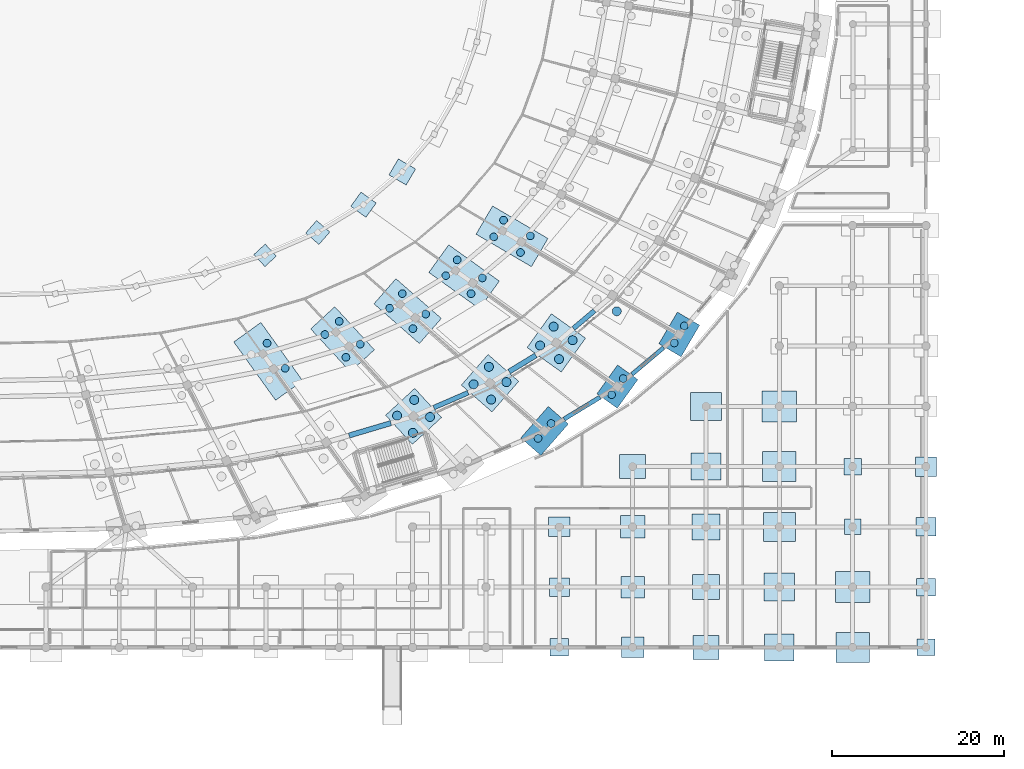
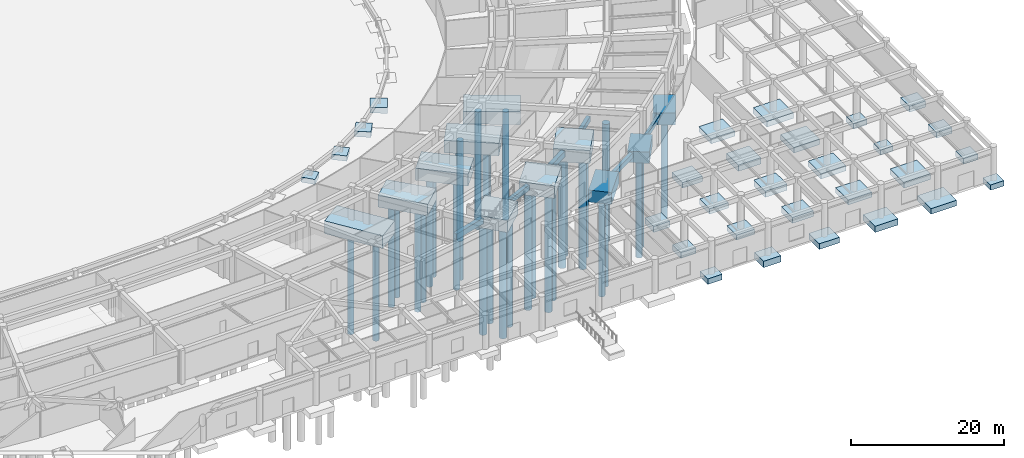
# One storey, part 6 of 88: 46 footings, 37 piles.
"""IFC4 building model written with IfcOpenShell, lengths in metres."""

from ifc_helpers import new_model, si_unit, direction, frame, origin, origin_2d, place, context, subcontext, project, spatial, rectangle, circle, extrude, material, material_profile, profile_set, type_object, element, save


model = new_model("IFC4")

# Units and contexts
model_context = context("Model", 3, precision=1e-05, world=origin(), true_north=direction((0.0, 1.0)))
body_context = subcontext(model_context, "Body", "Model", "MODEL_VIEW")
ifc_project = project(units=[si_unit("LENGTHUNIT", "METRE"), si_unit("AREAUNIT", "SQUARE_METRE"), si_unit("VOLUMEUNIT", "CUBIC_METRE"), si_unit("PLANEANGLEUNIT", "RADIAN"), si_unit("MASSUNIT", "GRAM", prefix="KILO")], contexts=[model_context])

# Site, building, storey
site_placement = place(None, origin())
site = spatial("IfcSite", under=ifc_project, at=site_placement, CompositionType="ELEMENT")
building_placement = place(site_placement, origin())
building = spatial("IfcBuilding", under=site, at=building_placement, Name="Mphavela Belvedere Stadium", CompositionType="ELEMENT")
storey_placement = place(building_placement, origin())
storey = spatial("IfcBuildingStorey", under=building, at=storey_placement, Name="L00", CompositionType="ELEMENT", Elevation=0.0)

# Footings
ifc_material_1 = material(Name="Concrete C35/45", Category="concrete")
ifc_material_profile_1 = material_profile(ifc_material_1, rectangle(XDim=0.449951171875, YDim=0.75, at=origin_2d()), Name="GB 450x750")
ifc_profile_set_1 = profile_set([ifc_material_profile_1], Name="Concrete C35/45")
footing_type_1 = type_object("IfcFootingType", Name="FTG-GB-01", PredefinedType="FOOTING_BEAM", material=ifc_profile_set_1)
footing_1_placement = place(storey_placement, frame((195.842041015625, 31.70849609375, -0.5), z_axis=(0.764264974353, 0.644902356157, 0.0), x_axis=(-0.644902356157, 0.764264974353, 0.0)))
element("IfcFooting", 1, at=footing_1_placement, inside=storey, type_object=footing_type_1, Name="Ground tie-beam R4-43", PredefinedType="FOOTING_BEAM", context=body_context, shape_type="SweptSolid", body=[
    extrude(rectangle(XDim=0.449951171875, YDim=0.75, at=origin_2d()), origin(), (0.0, 0.0, 1.0), 4.822998046875),
])
ifc_material_2 = material(Name="Concrete C35/45", Category="concrete")
ifc_material_profile_2 = material_profile(ifc_material_2, rectangle(XDim=0.5, YDim=0.800048828125, at=origin_2d()), Name="GB 500x800")
ifc_profile_set_2 = profile_set([ifc_material_profile_2], Name="Concrete C35/45")
footing_type_2 = type_object("IfcFootingType", Name="FTG-GB-02", PredefinedType="FOOTING_BEAM", material=ifc_profile_set_2)
footing_2_placement = place(storey_placement, frame((187.966064453125, 26.52001953125, -0.5), z_axis=(0.854338785373, 0.519716499457, 0.0), x_axis=(-0.519716499457, 0.854338785373, 0.0)))
element("IfcFooting", 2, at=footing_2_placement, inside=storey, type_object=footing_type_2, Name="Ground tie-beam R4-42", PredefinedType="FOOTING_BEAM", context=body_context, shape_type="SweptSolid", body=[
    extrude(rectangle(XDim=0.5, YDim=0.800048828125, at=origin_2d()), origin(), (0.0, 0.0, 1.0), 4.873779296875),
])
ifc_material_3 = material(Name="Concrete C35/45", Category="concrete")
ifc_material_profile_3 = material_profile(ifc_material_3, rectangle(XDim=0.550048828125, YDim=0.85009765625, at=origin_2d()), Name="GB 550x850")
ifc_profile_set_3 = profile_set([ifc_material_profile_3], Name="Concrete C35/45")
footing_type_3 = type_object("IfcFootingType", Name="FTG-GB-03", PredefinedType="FOOTING_BEAM", material=ifc_profile_set_3)
footing_3_placement = place(storey_placement, frame((172.832275390625, 27.853271484375, -0.550048828125), z_axis=(0.917491237723, 0.397755991409, 0.0), x_axis=(-0.397755991409, 0.917491237723, 0.0)))
element("IfcFooting", 3, at=footing_3_placement, inside=storey, type_object=footing_type_3, Name="Ground tie-beam R3-41", PredefinedType="FOOTING_BEAM", context=body_context, shape_type="SweptSolid", body=[
    extrude(rectangle(XDim=0.550048828125, YDim=0.85009765625, at=origin_2d()), origin(), (0.0, 0.0, 1.0), 4.335205078125),
])
footing_4_placement = place(storey_placement, frame((189.04931640625, 37.0458984375, -0.550048828125), z_axis=(0.76427616961, 0.644889088577, 0.0), x_axis=(-0.644889088577, 0.76427616961, 0.0)))
element("IfcFooting", 4, at=footing_4_placement, inside=storey, type_object=footing_type_3, Name="Ground tie-beam R3-43", PredefinedType="FOOTING_BEAM", context=body_context, shape_type="SweptSolid", body=[
    extrude(rectangle(XDim=0.550048828125, YDim=0.85009765625, at=origin_2d()), origin(), (0.0, 0.0, 1.0), 3.192138671875),
])
ifc_material_4 = material(Name="Concrete C35/45", Category="concrete")
ifc_material_profile_4 = material_profile(ifc_material_4, rectangle(XDim=0.60009765625, YDim=0.89990234375, at=origin_2d()), Name="GB 600x900")
ifc_profile_set_4 = profile_set([ifc_material_profile_4], Name="Concrete C35/45")
footing_type_4 = type_object("IfcFootingType", Name="FTG-GB-04", PredefinedType="FOOTING_BEAM", material=ifc_profile_set_4)
footing_5_placement = place(storey_placement, frame((162.98828125, 24.609375, -0.550048828125), z_axis=(0.958664744545, 0.28453805996, 0.0), x_axis=(-0.28453805996, 0.958664744545, 0.0)))
element("IfcFooting", 5, at=footing_5_placement, inside=storey, type_object=footing_type_4, Name="Ground tie-beam R3-40", PredefinedType="FOOTING_BEAM", context=body_context, shape_type="SweptSolid", body=[
    extrude(rectangle(XDim=0.60009765625, YDim=0.89990234375, at=origin_2d()), origin(), (0.0, 0.0, 1.0), 5.06396484375),
])
footing_6_placement = place(storey_placement, frame((181.585205078125, 32.036865234375, -0.550048828125), z_axis=(0.854306769464, 0.519769125331, 0.0), x_axis=(-0.519769125331, 0.854306769464, 0.0)))
element("IfcFooting", 6, at=footing_6_placement, inside=storey, type_object=footing_type_4, Name="Ground tie-beam R3-42", PredefinedType="FOOTING_BEAM", context=body_context, shape_type="SweptSolid", body=[
    extrude(rectangle(XDim=0.60009765625, YDim=0.89990234375, at=origin_2d()), origin(), (0.0, 0.0, 1.0), 3.615234375),
])
ifc_material_5 = material(Name="Concrete C35/45", Category="concrete")
footing_type_5 = type_object("IfcFootingType", Name="FTG-PAD-01", PredefinedType="PAD_FOOTING", material=ifc_material_5)
for number, where, z_axis, x_axis, name in (
    (7, (153.229736328125, 45.537109375, -0.7998046875), (0.0, 0.0, 1.0), (0.677903094969, -0.735151272753, 0.0), "Tier front pad footing 41"),
    (8, (221.48095703125, 14.0, -0.7998046875), (0.0, 0.0, 1.0), (1.0, 0.0, 0.0), "South Axial Triumphal Peristyle Portico pad footing 27-3"),
):
    element("IfcFooting", number, at=place(storey_placement, frame(where, z_axis=z_axis, x_axis=x_axis)), inside=storey, type_object=footing_type_5, Name=name, PredefinedType="PAD_FOOTING", context=body_context, shape_type="SweptSolid", body=[
        extrude(rectangle(XDim=1.89990234375, YDim=1.800048828125, at=origin_2d()), origin(), (0.0, 0.0, 1.0), 0.800048828125),
    ])
ifc_material_6 = material(Name="Concrete C35/45", Category="concrete")
footing_type_6 = type_object("IfcFootingType", Name="FTG-PAD-02", PredefinedType="PAD_FOOTING", material=ifc_material_6)
for number, where, z_axis, x_axis, name in (
    (9, (159.351806640625, 48.19091796875, -0.83984375), (0.0, 0.0, 1.0), (0.752529860433, -0.658558128912, 0.0), "Tier front pad footing 42"),
    (10, (221.48095703125, 21.0, -0.83984375), (0.0, 0.0, 1.0), (1.0, 0.0, 0.0), "South Axial Triumphal Peristyle Portico pad footing 27-4"),
    (11, (230.0, 0.0, -0.83984375), (0.0, 0.0, 1.0), (1.0, 0.0, 0.0), "South Axial Triumphal Peristyle Portico pad footing 28-1"),
):
    element("IfcFooting", number, at=place(storey_placement, frame(where, z_axis=z_axis, x_axis=x_axis)), inside=storey, type_object=footing_type_6, Name=name, PredefinedType="PAD_FOOTING", context=body_context, shape_type="SweptSolid", body=[
        extrude(rectangle(XDim=2.0400390625, YDim=1.919921875, at=origin_2d()), origin(), (0.0, 0.0, 1.0), 0.840087890625),
    ])
ifc_material_7 = material(Name="Concrete C35/45", Category="concrete")
footing_type_7 = type_object("IfcFootingType", Name="FTG-PAD-03", PredefinedType="PAD_FOOTING", material=ifc_material_7)
for number, where, z_axis, x_axis, name in (
    (12, (164.658935546875, 51.419677734375, -0.8798828125), (0.0, 0.0, 1.0), (0.812897512265, -0.582406760395, 0.0), "Tier front pad footing 43"),
    (13, (187.406982421875, 0.0, -0.8798828125), (0.0, 0.0, 1.0), (1.0, 0.0, 0.0), "South Axial Triumphal Peristyle Portico pad footing 23-1"),
    (14, (230.0, 7.0, -0.8798828125), (0.0, 0.0, 1.0), (1.0, 0.0, 0.0), "South Axial Triumphal Peristyle Portico pad footing 28-2"),
):
    element("IfcFooting", number, at=place(storey_placement, frame(where, z_axis=z_axis, x_axis=x_axis)), inside=storey, type_object=footing_type_7, Name=name, PredefinedType="PAD_FOOTING", context=body_context, shape_type="SweptSolid", body=[
        extrude(rectangle(XDim=2.179931640625, YDim=2.0400390625, at=origin_2d()), origin(), (0.0, 0.0, 1.0), 0.8798828125),
    ])
ifc_material_8 = material(Name="Concrete C35/45", Category="concrete")
footing_type_8 = type_object("IfcFootingType", Name="FTG-PAD-04", PredefinedType="PAD_FOOTING", material=ifc_material_8)
for number, where, z_axis, x_axis, name in (
    (15, (169.1650390625, 55.22216796875, -0.919921875), (0.0, 0.0, 1.0), (0.862513669207, -0.506033764121, 0.0), "Tier front pad footing 44"),
    (16, (187.406982421875, 7.0, -0.919921875), (0.0, 0.0, 1.0), (1.0, 0.0, 0.0), "South Axial Triumphal Peristyle Portico pad footing 23-2"),
    (17, (230.0, 14.0, -0.919921875), (0.0, 0.0, 1.0), (1.0, 0.0, 0.0), "South Axial Triumphal Peristyle Portico pad footing 28-3"),
):
    element("IfcFooting", number, at=place(storey_placement, frame(where, z_axis=z_axis, x_axis=x_axis)), inside=storey, type_object=footing_type_8, Name=name, PredefinedType="PAD_FOOTING", context=body_context, shape_type="SweptSolid", body=[
        extrude(rectangle(XDim=2.320068359375, YDim=2.159912109375, at=origin_2d()), origin(), (0.0, 0.0, 1.0), 0.919921875),
    ])
ifc_material_9 = material(Name="Concrete C35/45", Category="concrete")
footing_type_9 = type_object("IfcFootingType", Name="FTG-PAD-05", PredefinedType="PAD_FOOTING", material=ifc_material_9)
for number, where, z_axis, x_axis, name in (
    (18, (187.406982421875, 14.0, -0.9599609375), (0.0, 0.0, 1.0), (1.0, 0.0, 0.0), "South Axial Triumphal Peristyle Portico pad footing 23-3"),
    (19, (230.0, 21.0, -0.9599609375), (0.0, 0.0, 1.0), (1.0, 0.0, 0.0), "South Axial Triumphal Peristyle Portico pad footing 28-4"),
):
    element("IfcFooting", number, at=place(storey_placement, frame(where, z_axis=z_axis, x_axis=x_axis)), inside=storey, type_object=footing_type_9, Name=name, PredefinedType="PAD_FOOTING", context=body_context, shape_type="SweptSolid", body=[
        extrude(rectangle(XDim=2.4599609375, YDim=2.280029296875, at=origin_2d()), origin(), (0.0, 0.0, 1.0), 0.9599609375),
    ])
ifc_material_10 = material(Name="Concrete C35/45", Category="concrete")
footing_type_10 = type_object("IfcFootingType", Name="FTG-PAD-06", PredefinedType="PAD_FOOTING", material=ifc_material_10)
footing_7_placement = place(storey_placement, frame((195.926025390625, 0.0, -1.0), z_axis=(0.0, 0.0, 1.0), x_axis=(1.0, 0.0, 0.0)))
element("IfcFooting", 20, at=footing_7_placement, inside=storey, type_object=footing_type_10, Name="South Axial Triumphal Peristyle Portico pad footing 24-1", PredefinedType="PAD_FOOTING", context=body_context, shape_type="SweptSolid", body=[
    extrude(rectangle(XDim=2.60009765625, YDim=2.39990234375, at=origin_2d()), origin(), (0.0, 0.0, 1.0), 1.0),
])
ifc_material_11 = material(Name="Concrete C35/45", Category="concrete")
footing_type_11 = type_object("IfcFootingType", Name="FTG-PAD-07", PredefinedType="PAD_FOOTING", material=ifc_material_11)
footing_8_placement = place(storey_placement, frame((195.926025390625, 7.0, -0.7998046875), z_axis=(0.0, 0.0, 1.0), x_axis=(1.0, 0.0, 0.0)))
element("IfcFooting", 21, at=footing_8_placement, inside=storey, type_object=footing_type_11, Name="South Axial Triumphal Peristyle Portico pad footing 24-2", PredefinedType="PAD_FOOTING", context=body_context, shape_type="SweptSolid", body=[
    extrude(rectangle(XDim=2.739990234375, YDim=2.52001953125, at=origin_2d()), origin(), (0.0, 0.0, 1.0), 0.800048828125),
])
ifc_material_12 = material(Name="Concrete C35/45", Category="concrete")
footing_type_12 = type_object("IfcFootingType", Name="FTG-PAD-08", PredefinedType="PAD_FOOTING", material=ifc_material_12)
footing_9_placement = place(storey_placement, frame((195.926025390625, 14.0, -0.83984375), z_axis=(0.0, 0.0, 1.0), x_axis=(1.0, 0.0, 0.0)))
element("IfcFooting", 22, at=footing_9_placement, inside=storey, type_object=footing_type_12, Name="South Axial Triumphal Peristyle Portico pad footing 24-3", PredefinedType="PAD_FOOTING", context=body_context, shape_type="SweptSolid", body=[
    extrude(rectangle(XDim=2.8798828125, YDim=2.639892578125, at=origin_2d()), origin(), (0.0, 0.0, 1.0), 0.840087890625),
])
ifc_material_13 = material(Name="Concrete C35/45", Category="concrete")
footing_type_13 = type_object("IfcFootingType", Name="FTG-PAD-09", PredefinedType="PAD_FOOTING", material=ifc_material_13)
for number, where, z_axis, x_axis, name in (
    (23, (195.926025390625, 21.0, -0.8798828125), (0.0, 0.0, 1.0), (1.0, 0.0, 0.0), "South Axial Triumphal Peristyle Portico pad footing 24-4"),
    (24, (204.444091796875, 0.0, -0.8798828125), (0.0, 0.0, 1.0), (1.0, 0.0, 0.0), "South Axial Triumphal Peristyle Portico pad footing 25-1"),
):
    element("IfcFooting", number, at=place(storey_placement, frame(where, z_axis=z_axis, x_axis=x_axis)), inside=storey, type_object=footing_type_13, Name=name, PredefinedType="PAD_FOOTING", context=body_context, shape_type="SweptSolid", body=[
        extrude(rectangle(XDim=3.02001953125, YDim=2.760009765625, at=origin_2d()), origin(), (0.0, 0.0, 1.0), 0.8798828125),
    ])
ifc_material_14 = material(Name="Concrete C35/45", Category="concrete")
footing_type_14 = type_object("IfcFootingType", Name="FTG-PAD-10", PredefinedType="PAD_FOOTING", material=ifc_material_14)
footing_10_placement = place(storey_placement, frame((204.444091796875, 7.0, -0.919921875), z_axis=(0.0, 0.0, 1.0), x_axis=(1.0, 0.0, 0.0)))
element("IfcFooting", 25, at=footing_10_placement, inside=storey, type_object=footing_type_14, Name="South Axial Triumphal Peristyle Portico pad footing 25-2", PredefinedType="PAD_FOOTING", context=body_context, shape_type="SweptSolid", body=[
    extrude(rectangle(XDim=3.159912109375, YDim=2.8798828125, at=origin_2d()), origin(), (0.0, 0.0, 1.0), 0.919921875),
])
ifc_material_15 = material(Name="Concrete C35/45", Category="concrete")
footing_type_15 = type_object("IfcFootingType", Name="FTG-PAD-11", PredefinedType="PAD_FOOTING", material=ifc_material_15)
footing_11_placement = place(storey_placement, frame((204.444091796875, 14.0, -0.9599609375), z_axis=(0.0, 0.0, 1.0), x_axis=(1.0, 0.0, 0.0)))
element("IfcFooting", 26, at=footing_11_placement, inside=storey, type_object=footing_type_15, Name="South Axial Triumphal Peristyle Portico pad footing 25-3", PredefinedType="PAD_FOOTING", context=body_context, shape_type="SweptSolid", body=[
    extrude(rectangle(XDim=3.300048828125, YDim=3.0, at=origin_2d()), origin(), (0.0, 0.0, 1.0), 0.9599609375),
])
ifc_material_16 = material(Name="Concrete C35/45", Category="concrete")
footing_type_16 = type_object("IfcFootingType", Name="FTG-PAD-12", PredefinedType="PAD_FOOTING", material=ifc_material_16)
for number, where, z_axis, x_axis, name in (
    (27, (204.444091796875, 21.0, -1.0), (0.0, 0.0, 1.0), (1.0, 0.0, 0.0), "South Axial Triumphal Peristyle Portico pad footing 25-4"),
    (28, (212.962890625, 0.0, -1.0), (0.0, 0.0, 1.0), (1.0, 0.0, 0.0), "South Axial Triumphal Peristyle Portico pad footing 26-1"),
):
    element("IfcFooting", number, at=place(storey_placement, frame(where, z_axis=z_axis, x_axis=x_axis)), inside=storey, type_object=footing_type_16, Name=name, PredefinedType="PAD_FOOTING", context=body_context, shape_type="SweptSolid", body=[
        extrude(rectangle(XDim=3.43994140625, YDim=3.1201171875, at=origin_2d()), origin(), (0.0, 0.0, 1.0), 1.0),
    ])
ifc_material_17 = material(Name="Concrete C35/45", Category="concrete")
footing_type_17 = type_object("IfcFootingType", Name="FTG-PAD-13", PredefinedType="PAD_FOOTING", material=ifc_material_17)
for number, where, z_axis, x_axis, name in (
    (29, (204.444091796875, 28.0, -0.7998046875), (0.0, 0.0, 1.0), (1.0, 0.0, 0.0), "South Axial Triumphal Peristyle Portico pad footing 25-5"),
    (30, (212.962890625, 7.0, -0.7998046875), (0.0, 0.0, 1.0), (1.0, 0.0, 0.0), "South Axial Triumphal Peristyle Portico pad footing 26-2"),
):
    element("IfcFooting", number, at=place(storey_placement, frame(where, z_axis=z_axis, x_axis=x_axis)), inside=storey, type_object=footing_type_17, Name=name, PredefinedType="PAD_FOOTING", context=body_context, shape_type="SweptSolid", body=[
        extrude(rectangle(XDim=3.580078125, YDim=3.239990234375, at=origin_2d()), origin(), (0.0, 0.0, 1.0), 0.800048828125),
    ])
ifc_material_18 = material(Name="Concrete C35/45", Category="concrete")
footing_type_18 = type_object("IfcFootingType", Name="FTG-PAD-14", PredefinedType="PAD_FOOTING", material=ifc_material_18)
footing_12_placement = place(storey_placement, frame((212.962890625, 14.0, -0.83984375), z_axis=(0.0, 0.0, 1.0), x_axis=(1.0, 0.0, 0.0)))
element("IfcFooting", 31, at=footing_12_placement, inside=storey, type_object=footing_type_18, Name="South Axial Triumphal Peristyle Portico pad footing 26-3", PredefinedType="PAD_FOOTING", context=body_context, shape_type="SweptSolid", body=[
    extrude(rectangle(XDim=3.719970703125, YDim=3.360107421875, at=origin_2d()), origin(), (0.0, 0.0, 1.0), 0.840087890625),
])
ifc_material_19 = material(Name="Concrete C35/45", Category="concrete")
footing_type_19 = type_object("IfcFootingType", Name="FTG-PAD-15", PredefinedType="PAD_FOOTING", material=ifc_material_19)
for number, where, z_axis, x_axis, name in (
    (32, (212.962890625, 21.0, -0.8798828125), (0.0, 0.0, 1.0), (1.0, 0.0, 0.0), "South Axial Triumphal Peristyle Portico pad footing 26-4"),
    (33, (221.48095703125, 0.0, -0.8798828125), (0.0, 0.0, 1.0), (1.0, 0.0, 0.0), "South Axial Triumphal Peristyle Portico pad footing 27-1"),
):
    element("IfcFooting", number, at=place(storey_placement, frame(where, z_axis=z_axis, x_axis=x_axis)), inside=storey, type_object=footing_type_19, Name=name, PredefinedType="PAD_FOOTING", context=body_context, shape_type="SweptSolid", body=[
        extrude(rectangle(XDim=3.860107421875, YDim=3.47998046875, at=origin_2d()), origin(), (0.0, 0.0, 1.0), 0.8798828125),
    ])
ifc_material_20 = material(Name="Concrete C35/45", Category="concrete")
footing_type_20 = type_object("IfcFootingType", Name="FTG-PAD-16", PredefinedType="PAD_FOOTING", material=ifc_material_20)
for number, where, z_axis, x_axis, name in (
    (34, (212.962890625, 28.0, -0.919921875), (0.0, 0.0, 1.0), (1.0, 0.0, 0.0), "South Axial Triumphal Peristyle Portico pad footing 26-5"),
    (35, (221.48095703125, 7.0, -0.919921875), (0.0, 0.0, 1.0), (1.0, 0.0, 0.0), "South Axial Triumphal Peristyle Portico pad footing 27-2"),
):
    element("IfcFooting", number, at=place(storey_placement, frame(where, z_axis=z_axis, x_axis=x_axis)), inside=storey, type_object=footing_type_20, Name=name, PredefinedType="PAD_FOOTING", context=body_context, shape_type="SweptSolid", body=[
        extrude(rectangle(XDim=4.0, YDim=3.60009765625, at=origin_2d()), origin(), (0.0, 0.0, 1.0), 0.919921875),
    ])
ifc_material_21 = material(Name="Concrete C35/45", Category="concrete")
footing_type_21 = type_object("IfcFootingType", Name="FTG-PC-R12-01", PredefinedType="PILE_CAP", material=ifc_material_21)
footing_13_placement = place(storey_placement, frame((162.2265625, 35.779296875, -1.85009765625), z_axis=(0.0, 0.0, 1.0), x_axis=(0.677903094969, -0.735151272753, 0.0)))
element("IfcFooting", 36, at=footing_13_placement, inside=storey, type_object=footing_type_21, Name="Bowl inner pile cap 41", PredefinedType="PILE_CAP", context=body_context, shape_type="SweptSolid", body=[
    extrude(rectangle(XDim=6.800048828125, YDim=3.800048828125, at=origin_2d()), origin(), (0.0, 0.0, 1.0), 1.85009765625),
])
ifc_material_22 = material(Name="Concrete C35/45", Category="concrete")
footing_type_22 = type_object("IfcFootingType", Name="FTG-PC-R12-02", PredefinedType="PILE_CAP", material=ifc_material_22)
footing_14_placement = place(storey_placement, frame((169.78955078125, 39.0576171875, -1.91015625), z_axis=(0.0, 0.0, 1.0), x_axis=(0.752529860433, -0.658558128912, 0.0)))
element("IfcFooting", 37, at=footing_14_placement, inside=storey, type_object=footing_type_22, Name="Bowl inner pile cap 42", PredefinedType="PILE_CAP", context=body_context, shape_type="SweptSolid", body=[
    extrude(rectangle(XDim=7.02001953125, YDim=3.8798828125, at=origin_2d()), origin(), (0.0, 0.0, 1.0), 1.909912109375),
])
ifc_material_23 = material(Name="Concrete C35/45", Category="concrete")
footing_type_23 = type_object("IfcFootingType", Name="FTG-PC-R12-03", PredefinedType="PILE_CAP", material=ifc_material_23)
footing_15_placement = place(storey_placement, frame((176.345703125, 43.046142578125, -1.97021484375), z_axis=(0.0, 0.0, 1.0), x_axis=(0.812897512265, -0.582406760395, 0.0)))
element("IfcFooting", 38, at=footing_15_placement, inside=storey, type_object=footing_type_23, Name="Bowl inner pile cap 43", PredefinedType="PILE_CAP", context=body_context, shape_type="SweptSolid", body=[
    extrude(rectangle(XDim=7.239990234375, YDim=3.9599609375, at=origin_2d()), origin(), (0.0, 0.0, 1.0), 1.969970703125),
])
ifc_material_24 = material(Name="Concrete C35/45", Category="concrete")
footing_type_24 = type_object("IfcFootingType", Name="FTG-PC-R12-04", PredefinedType="PILE_CAP", material=ifc_material_24)
footing_16_placement = place(storey_placement, frame((181.912109375, 47.743408203125, -2.02978515625), z_axis=(0.0, 0.0, 1.0), x_axis=(0.862513669207, -0.506033764121, 0.0)))
element("IfcFooting", 39, at=footing_16_placement, inside=storey, type_object=footing_type_24, Name="Bowl inner pile cap 44", PredefinedType="PILE_CAP", context=body_context, shape_type="SweptSolid", body=[
    extrude(rectangle(XDim=7.4599609375, YDim=3.800048828125, at=origin_2d()), origin(), (0.0, 0.0, 1.0), 2.030029296875),
])
ifc_material_25 = material(Name="Concrete C35/45", Category="concrete")
footing_type_25 = type_object("IfcFootingType", Name="FTG-PC-R12-08", PredefinedType="PILE_CAP", material=ifc_material_25)
footing_17_placement = place(storey_placement, frame((153.595947265625, 33.21728515625, -2.02978515625), z_axis=(0.0, 0.0, 1.0), x_axis=(0.582974127943, -0.812490717577, 0.0)))
element("IfcFooting", 40, at=footing_17_placement, inside=storey, type_object=footing_type_25, Name="Bowl inner pile cap 40", PredefinedType="PILE_CAP", context=body_context, shape_type="SweptSolid", body=[
    extrude(rectangle(XDim=8.340087890625, YDim=3.8798828125, at=origin_2d()), origin(), (0.0, 0.0, 1.0), 2.030029296875),
])
ifc_material_26 = material(Name="Concrete C35/45", Category="concrete")
footing_type_26 = type_object("IfcFootingType", Name="FTG-PC-R3-01", PredefinedType="PILE_CAP", material=ifc_material_26)
footing_18_placement = place(storey_placement, frame((170.476318359375, 26.83203125, -1.9501953125), z_axis=(0.0, 0.0, 1.0), x_axis=(0.677903094969, -0.735151272753, 0.0)))
element("IfcFooting", 41, at=footing_18_placement, inside=storey, type_object=footing_type_26, Name="Bowl main pile cap 41", PredefinedType="PILE_CAP", context=body_context, shape_type="SweptSolid", body=[
    extrude(rectangle(XDim=4.60009765625, YDim=4.60009765625, at=origin_2d()), origin(), (0.0, 0.0, 1.0), 1.949951171875),
])
ifc_material_27 = material(Name="Concrete C35/45", Category="concrete")
footing_type_27 = type_object("IfcFootingType", Name="FTG-PC-R3-02", PredefinedType="PILE_CAP", material=ifc_material_27)
footing_19_placement = place(storey_placement, frame((179.360107421875, 30.68310546875, -2.009765625), z_axis=(0.0, 0.0, 1.0), x_axis=(0.752529860433, -0.658558128912, 0.0)))
element("IfcFooting", 42, at=footing_19_placement, inside=storey, type_object=footing_type_27, Name="Bowl main pile cap 42", PredefinedType="PILE_CAP", context=body_context, shape_type="SweptSolid", body=[
    extrude(rectangle(XDim=4.739990234375, YDim=4.719970703125, at=origin_2d()), origin(), (0.0, 0.0, 1.0), 2.010009765625),
])
ifc_material_28 = material(Name="Concrete C35/45", Category="concrete")
footing_type_28 = type_object("IfcFootingType", Name="FTG-PC-R3-03", PredefinedType="PILE_CAP", material=ifc_material_28)
footing_20_placement = place(storey_placement, frame((187.061279296875, 35.368408203125, -2.06982421875), z_axis=(0.0, 0.0, 1.0), x_axis=(0.812897512265, -0.582406760395, 0.0)))
element("IfcFooting", 43, at=footing_20_placement, inside=storey, type_object=footing_type_28, Name="Bowl main pile cap 43", PredefinedType="PILE_CAP", context=body_context, shape_type="SweptSolid", body=[
    extrude(rectangle(XDim=4.8798828125, YDim=4.840087890625, at=origin_2d()), origin(), (0.0, 0.0, 1.0), 2.070068359375),
])
ifc_material_29 = material(Name="Concrete C35/45", Category="concrete")
footing_type_29 = type_object("IfcFootingType", Name="FTG-PC-R4-01", PredefinedType="PILE_CAP", material=ifc_material_29)
footing_21_placement = place(storey_placement, frame((194.155517578125, 30.285400390625, -1.7998046875), z_axis=(0.0, 0.0, 1.0), x_axis=(0.582406760395, 0.812897512265, 0.0)))
element("IfcFooting", 44, at=footing_21_placement, inside=storey, type_object=footing_type_29, Name="Perimeter colonnade pile cap 43", PredefinedType="PILE_CAP", context=body_context, shape_type="SweptSolid", body=[
    extrude(rectangle(XDim=4.10009765625, YDim=2.89990234375, at=origin_2d()), origin(), (0.0, 0.0, 1.0), 1.800048828125),
])
ifc_material_30 = material(Name="Concrete C35/45", Category="concrete")
footing_type_30 = type_object("IfcFootingType", Name="FTG-PC-R4-02", PredefinedType="PILE_CAP", material=ifc_material_30)
footing_22_placement = place(storey_placement, frame((201.33837890625, 36.346435546875, -1.85986328125), z_axis=(0.0, 0.0, 1.0), x_axis=(0.506033764121, 0.862513669207, 0.0)))
element("IfcFooting", 45, at=footing_22_placement, inside=storey, type_object=footing_type_30, Name="Perimeter colonnade pile cap 44", PredefinedType="PILE_CAP", context=body_context, shape_type="SweptSolid", body=[
    extrude(rectangle(XDim=4.25, YDim=3.0, at=origin_2d()), origin(), (0.0, 0.0, 1.0), 1.860107421875),
])
ifc_material_31 = material(Name="Concrete C35/45", Category="concrete")
footing_type_31 = type_object("IfcFootingType", Name="FTG-PC-R4-06", PredefinedType="PILE_CAP", material=ifc_material_31)
footing_23_placement = place(storey_placement, frame((185.6962890625, 25.13916015625, -1.919921875), z_axis=(0.0, 0.0, 1.0), x_axis=(0.658558128912, 0.752529860433, 0.0)))
element("IfcFooting", 46, at=footing_23_placement, inside=storey, type_object=footing_type_31, Name="Perimeter colonnade pile cap 42", PredefinedType="PILE_CAP", context=body_context, shape_type="SweptSolid", body=[
    extrude(rectangle(XDim=4.85009765625, YDim=3.10009765625, at=origin_2d()), origin(), (0.0, 0.0, 1.0), 1.919921875),
])

# Piles
ifc_material_32 = material(Name="Concrete C35/45", Category="concrete")
ifc_material_profile_5 = material_profile(ifc_material_32, circle(Radius=0.52490234375, at=origin_2d()), Name="BP D1050")
ifc_profile_set_5 = profile_set([ifc_material_profile_5], Name="Concrete C35/45")
pile_type_1 = type_object("IfcPileType", Name="PIL-BP1050-A", PredefinedType="BORED", material=ifc_profile_set_5)
for number, where, z_axis, x_axis, name in (
    (47, (168.568603515625, 26.909423828125, -1.85009765625), (0.0, 0.0, -1.0), (1.0, 0.0, 0.0), "Bored pile R3-41-1"),
    (48, (170.5537109375, 28.739501953125, -1.85009765625), (0.0, 0.0, -1.0), (1.0, 0.0, 0.0), "Bored pile R3-41-2"),
    (49, (170.398681640625, 24.92431640625, -1.85009765625), (0.0, 0.0, -1.0), (1.0, 0.0, 0.0), "Bored pile R3-41-3"),
    (50, (172.3837890625, 26.754638671875, -1.85009765625), (0.0, 0.0, -1.0), (1.0, 0.0, 0.0), "Bored pile R3-41-4"),
    (51, (185.177734375, 35.057373046875, -1.969970703125), (0.0, 0.0, -1.0), (1.0, 0.0, 0.0), "Bored pile R3-43-1"),
    (52, (186.750244140625, 37.252197265625, -1.969970703125), (0.0, 0.0, -1.0), (1.0, 0.0, 0.0), "Bored pile R3-43-2"),
    (53, (187.37255859375, 33.484619140625, -1.969970703125), (0.0, 0.0, -1.0), (1.0, 0.0, 0.0), "Bored pile R3-43-3"),
    (54, (188.945068359375, 35.679443359375, -1.969970703125), (0.0, 0.0, -1.0), (1.0, 0.0, 0.0), "Bored pile R3-43-4"),
):
    element("IfcPile", number, at=place(storey_placement, frame(where, z_axis=z_axis, x_axis=x_axis)), inside=storey, type_object=pile_type_1, Name=name, PredefinedType="BORED", context=body_context, shape_type="SweptSolid", body=[
        extrude(circle(Radius=0.52490234375, at=origin_2d()), origin(), (0.0, 0.0, 1.0), 17.5),
    ])
ifc_material_33 = material(Name="Concrete C35/45", Category="concrete")
ifc_material_profile_6 = material_profile(ifc_material_33, circle(Radius=0.52490234375, at=origin_2d()), Name="BP D1050")
ifc_profile_set_6 = profile_set([ifc_material_profile_6], Name="Concrete C35/45")
pile_type_2 = type_object("IfcPileType", Name="PIL-BP1050-B", PredefinedType="BORED", material=ifc_profile_set_6)
for number, where, z_axis, x_axis, name in (
    (55, (177.455078125, 30.55615234375, -1.909912109375), (0.0, 0.0, -1.0), (1.0, 0.0, 0.0), "Bored pile R3-42-1"),
    (56, (179.233154296875, 32.588134765625, -1.909912109375), (0.0, 0.0, -1.0), (1.0, 0.0, 0.0), "Bored pile R3-42-2"),
    (57, (179.4873046875, 28.7783203125, -1.909912109375), (0.0, 0.0, -1.0), (1.0, 0.0, 0.0), "Bored pile R3-42-3"),
    (58, (181.26513671875, 30.810302734375, -1.909912109375), (0.0, 0.0, -1.0), (1.0, 0.0, 0.0), "Bored pile R3-42-4"),
    (59, (194.081787109375, 39.038818359375, -2.030029296875), (0.0, 0.0, -1.0), (1.0, 0.0, 0.0), "Bored pile R3-44-3"),
):
    element("IfcPile", number, at=place(storey_placement, frame(where, z_axis=z_axis, x_axis=x_axis)), inside=storey, type_object=pile_type_2, Name=name, PredefinedType="BORED", context=body_context, shape_type="SweptSolid", body=[
        extrude(circle(Radius=0.52490234375, at=origin_2d()), origin(), (0.0, 0.0, 1.0), 18.800048828125),
    ])
ifc_material_34 = material(Name="Concrete C35/45", Category="concrete")
ifc_material_profile_7 = material_profile(ifc_material_34, circle(Radius=0.449951171875, at=origin_2d()), Name="BP D900")
ifc_profile_set_7 = profile_set([ifc_material_profile_7], Name="Concrete C35/45")
pile_type_3 = type_object("IfcPileType", Name="PIL-BP900-A", PredefinedType="BORED", material=ifc_profile_set_7)
for number, where, z_axis, x_axis, name in (
    (60, (160.179443359375, 36.340087890625, -1.75), (0.0, 0.0, -1.0), (1.0, 0.0, 0.0), "Bored pile R12-41-1"),
    (61, (161.83349609375, 37.865234375, -1.75), (0.0, 0.0, -1.0), (1.0, 0.0, 0.0), "Bored pile R12-41-2"),
    (62, (162.61962890625, 33.693359375, -1.75), (0.0, 0.0, -1.0), (1.0, 0.0, 0.0), "Bored pile R12-41-3"),
    (63, (164.273681640625, 35.218505859375, -1.75), (0.0, 0.0, -1.0), (1.0, 0.0, 0.0), "Bored pile R12-41-4"),
):
    element("IfcPile", number, at=place(storey_placement, frame(where, z_axis=z_axis, x_axis=x_axis)), inside=storey, type_object=pile_type_3, Name=name, PredefinedType="BORED", context=body_context, shape_type="SweptSolid", body=[
        extrude(circle(Radius=0.449951171875, at=origin_2d()), origin(), (0.0, 0.0, 1.0), 16.0),
    ])
for number, where, z_axis, x_axis, name in (
    (64, (184.93896484375, 24.273681640625, -1.820068359375), (0.0, 0.0, -1.0), (1.0, 0.0, 0.0), "Bored pile R4-42-1"),
    (65, (186.45361328125, 26.004638671875, -1.820068359375), (0.0, 0.0, -1.0), (1.0, 0.0, 0.0), "Bored pile R4-42-2"),
):
    element("IfcPile", number, at=place(storey_placement, frame(where, z_axis=z_axis, x_axis=x_axis)), inside=storey, type_object=pile_type_3, Name=name, PredefinedType="BORED", context=body_context, shape_type="SweptSolid", body=[
        extrude(circle(Radius=0.449951171875, at=origin_2d()), origin(), (0.0, 0.0, 1.0), 15.60009765625),
    ])
for number, where, z_axis, x_axis, name in (
    (66, (174.227294921875, 43.18017578125, -1.8701171875), (0.0, 0.0, -1.0), (1.0, 0.0, 0.0), "Bored pile R12-43-1"),
    (67, (175.53759765625, 45.009033203125, -1.8701171875), (0.0, 0.0, -1.0), (1.0, 0.0, 0.0), "Bored pile R12-43-2"),
    (68, (177.153564453125, 41.083251953125, -1.8701171875), (0.0, 0.0, -1.0), (1.0, 0.0, 0.0), "Bored pile R12-43-3"),
    (69, (178.464111328125, 42.912353515625, -1.8701171875), (0.0, 0.0, -1.0), (1.0, 0.0, 0.0), "Bored pile R12-43-4"),
):
    element("IfcPile", number, at=place(storey_placement, frame(where, z_axis=z_axis, x_axis=x_axis)), inside=storey, type_object=pile_type_3, Name=name, PredefinedType="BORED", context=body_context, shape_type="SweptSolid", body=[
        extrude(circle(Radius=0.449951171875, at=origin_2d()), origin(), (0.0, 0.0, 1.0), 16.0),
    ])
for number, where, z_axis, x_axis, name in (
    (70, (193.48583984375, 29.3505859375, -1.699951171875), (0.0, 0.0, -1.0), (1.0, 0.0, 0.0), "Bored pile R4-43-1"),
    (71, (194.825439453125, 31.22021484375, -1.699951171875), (0.0, 0.0, -1.0), (1.0, 0.0, 0.0), "Bored pile R4-43-2"),
    (72, (200.75634765625, 35.3544921875, -1.760009765625), (0.0, 0.0, -1.0), (1.0, 0.0, 0.0), "Bored pile R4-44-1"),
    (73, (201.920166015625, 37.33837890625, -1.760009765625), (0.0, 0.0, -1.0), (1.0, 0.0, 0.0), "Bored pile R4-44-2"),
):
    element("IfcPile", number, at=place(storey_placement, frame(where, z_axis=z_axis, x_axis=x_axis)), inside=storey, type_object=pile_type_3, Name=name, PredefinedType="BORED", context=body_context, shape_type="SweptSolid", body=[
        extrude(circle(Radius=0.449951171875, at=origin_2d()), origin(), (0.0, 0.0, 1.0), 15.60009765625),
    ])
ifc_material_35 = material(Name="Concrete C35/45", Category="concrete")
ifc_material_profile_8 = material_profile(ifc_material_35, circle(Radius=0.449951171875, at=origin_2d()), Name="BP D900")
ifc_profile_set_8 = profile_set([ifc_material_profile_8], Name="Concrete C35/45")
pile_type_4 = type_object("IfcPileType", Name="PIL-BP900-B", PredefinedType="BORED", material=ifc_profile_set_8)
for number, where, z_axis, x_axis, name in (
    (74, (153.46044921875, 35.335693359375, -1.929931640625), (0.0, 0.0, -1.0), (1.0, 0.0, 0.0), "Bored pile R12-40-2"),
    (75, (155.5595703125, 32.410888671875, -1.929931640625), (0.0, 0.0, -1.0), (1.0, 0.0, 0.0), "Bored pile R12-40-4"),
    (76, (167.694091796875, 39.396484375, -1.81005859375), (0.0, 0.0, -1.0), (1.0, 0.0, 0.0), "Bored pile R12-42-1"),
    (77, (169.17578125, 41.089599609375, -1.81005859375), (0.0, 0.0, -1.0), (1.0, 0.0, 0.0), "Bored pile R12-42-2"),
    (78, (170.4033203125, 37.025634765625, -1.81005859375), (0.0, 0.0, -1.0), (1.0, 0.0, 0.0), "Bored pile R12-42-3"),
    (79, (171.885009765625, 38.718994140625, -1.81005859375), (0.0, 0.0, -1.0), (1.0, 0.0, 0.0), "Bored pile R12-42-4"),
    (80, (179.790283203125, 47.68408203125, -1.929931640625), (0.0, 0.0, -1.0), (1.0, 0.0, 0.0), "Bored pile R12-44-1"),
    (81, (180.928955078125, 49.624755859375, -1.929931640625), (0.0, 0.0, -1.0), (1.0, 0.0, 0.0), "Bored pile R12-44-2"),
    (82, (182.8955078125, 45.8623046875, -1.929931640625), (0.0, 0.0, -1.0), (1.0, 0.0, 0.0), "Bored pile R12-44-3"),
    (83, (184.033935546875, 47.802978515625, -1.929931640625), (0.0, 0.0, -1.0), (1.0, 0.0, 0.0), "Bored pile R12-44-4"),
):
    element("IfcPile", number, at=place(storey_placement, frame(where, z_axis=z_axis, x_axis=x_axis)), inside=storey, type_object=pile_type_4, Name=name, PredefinedType="BORED", context=body_context, shape_type="SweptSolid", body=[
        extrude(circle(Radius=0.449951171875, at=origin_2d()), origin(), (0.0, 0.0, 1.0), 17.199951171875),
    ])

save(model, "model.ifc")
